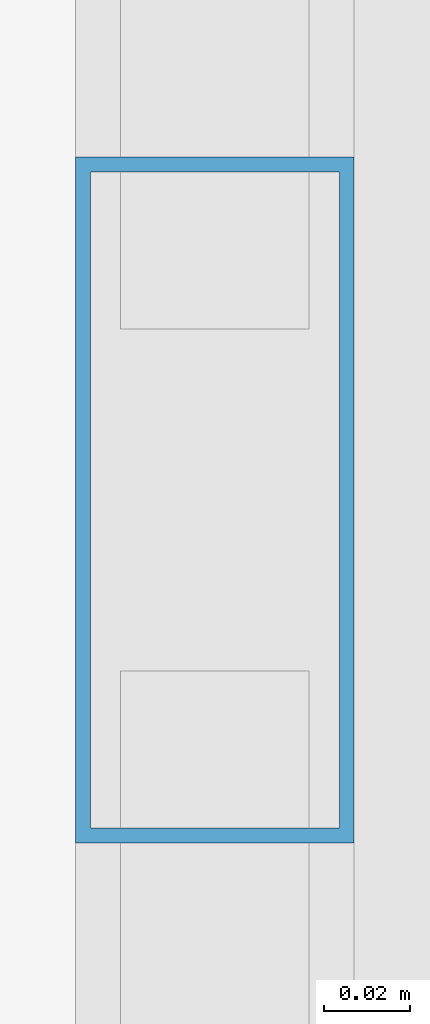
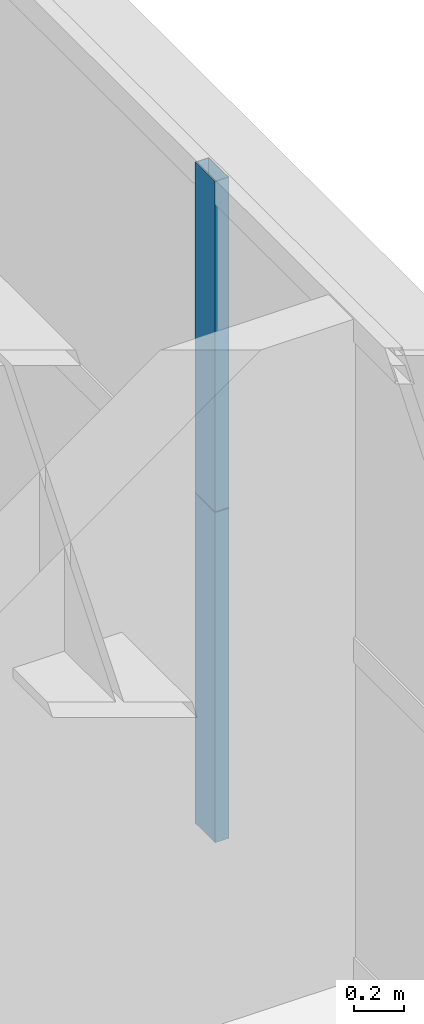
# One storey, part 22 of 39: 2 members, 1 element without a shape of its own.
"""IFC4 building model written with IfcOpenShell, lengths in metres."""

import ifcopenshell
import ifcopenshell.guid

model = None  # the IFC model being written
_history = None  # IfcOwnerHistory: only IFC2X3 demands one
_inside = {}  # id of a spatial element -> (the spatial element, [elements in it])
_under = {}  # id of a project, library or spatial element -> (it, [spatial elements below it])
_declared = {}  # id of a project -> (the project, [libraries it declares])
_typed = {}  # id of a type object -> (the type object, [elements of that type])
_made_of = {}  # id of a material, layer set ... -> (it, [elements and type objects made of it])


def new_model(schema):
    """Start an empty IFC model of exactly this schema.

    Asked for "IFC4X3", IfcOpenShell would pick the latest addendum, in which some entities
    have other attributes; the version numbers below select the first issue.
    IFC2X3 requires an IfcOwnerHistory on every rooted entity: one is made here for all.
    """
    global model, _history
    if schema == "IFC4X3":
        model = ifcopenshell.file(schema_version=(4, 3, 0, 0))
    else:
        model = ifcopenshell.file(schema=schema)
    _inside.clear()
    _under.clear()
    _declared.clear()
    _typed.clear()
    _made_of.clear()
    _history = None
    if model.schema == "IFC2X3":
        org = make("IfcOrganization", Name="unknown")
        user = make(
            "IfcPersonAndOrganization",
            ThePerson=make("IfcPerson", FamilyName="unknown"),
            TheOrganization=org,
        )
        app = make(
            "IfcApplication",
            ApplicationDeveloper=org,
            Version="unknown",
            ApplicationFullName="unknown",
            ApplicationIdentifier="unknown",
        )
        _history = make(
            "IfcOwnerHistory",
            OwningUser=user,
            OwningApplication=app,
            ChangeAction="ADDED",
            CreationDate=0,
        )
    return model


def make(cls, **values):
    """One entity of the class cls with the attributes given. An attribute that is None is left unset."""
    return model.create_entity(
        cls, **{name: value for name, value in values.items() if value is not None}
    )


def rooted(cls, **values):
    """An entity with a GlobalId (a new one), such as an element, a storey or a relation."""
    return make(cls, GlobalId=ifcopenshell.guid.new(), OwnerHistory=_history, **values)


def si_unit(unit_type, name, prefix=None):
    """IfcSIUnit, for example si_unit("LENGTHUNIT", "METRE", prefix="MILLI")."""
    return make("IfcSIUnit", UnitType=unit_type, Prefix=prefix, Name=name)


def assignment(units):
    """IfcUnitAssignment: the units of a project."""
    return None if units is None else make("IfcUnitAssignment", Units=units)


def point(xyz):
    """IfcCartesianPoint."""
    return None if xyz is None else make("IfcCartesianPoint", Coordinates=xyz)


def direction(xyz):
    """IfcDirection."""
    return None if xyz is None else make("IfcDirection", DirectionRatios=xyz)


def frame(location, z_axis=None, x_axis=None):
    """IfcAxis2Placement3D, a coordinate frame: its origin and axes. An axis left out is left unset."""
    return make(
        "IfcAxis2Placement3D",
        Location=point(location),
        Axis=direction(z_axis),
        RefDirection=direction(x_axis),
    )


def frame_2d(location, x_axis=None):
    """IfcAxis2Placement2D, a coordinate frame in the plane: its origin and x axis."""
    return make(
        "IfcAxis2Placement2D", Location=point(location), RefDirection=direction(x_axis)
    )


def origin():
    """The frame at (0, 0, 0) with its axes left unset."""
    return frame((0.0, 0.0, 0.0))


def origin_2d():
    """The frame at (0, 0) in the plane with its x axis left unset."""
    return frame_2d((0.0, 0.0))


def place(relative_to, where):
    """IfcLocalPlacement: puts the frame where relative to a parent placement (None: the world)."""
    return make(
        "IfcLocalPlacement", PlacementRelTo=relative_to, RelativePlacement=where
    )


def context(
    kind, dimensions, precision=None, world=None, true_north=None, identifier=None
):
    """IfcGeometricRepresentationContext, for example the 3D "Model" context."""
    return make(
        "IfcGeometricRepresentationContext",
        ContextIdentifier=identifier,
        ContextType=kind,
        CoordinateSpaceDimension=dimensions,
        Precision=precision,
        WorldCoordinateSystem=world,
        TrueNorth=true_north,
    )


def subcontext(parent, identifier, kind, view, scale=None):
    """IfcGeometricRepresentationSubContext, for example "Body" below "Model"."""
    return make(
        "IfcGeometricRepresentationSubContext",
        ContextIdentifier=identifier,
        ContextType=kind,
        ParentContext=parent,
        TargetScale=scale,
        TargetView=view,
    )


def project(units=None, contexts=None):
    """IfcProject with its units and contexts."""
    return rooted(
        "IfcProject",
        Name="project",
        RepresentationContexts=contexts,
        UnitsInContext=assignment(units),
    )


def spatial(cls, under=None, at=None, **own):
    """A site, building, storey or space (cls), placed at a placement, below another one or the project."""
    s = rooted(cls, ObjectPlacement=at, **own)
    if under is not None:
        _under.setdefault(under.id(), (under, []))[1].append(s)
    return s


def profile(cls, at=None, kind="AREA", **sizes):
    """A parametric profile (cls). Its sizes go by their IFC names, for example OverallWidth=200.0."""
    return make(cls, ProfileType=kind, Position=at, **sizes)


def hollow_rectangle(**sizes):
    """IfcRectangleHollowProfileDef."""
    return profile("IfcRectangleHollowProfileDef", **sizes)


def extrude(swept, where, along, depth):
    """IfcExtrudedAreaSolid: the profile swept, set in the frame where, extruded along a direction by depth."""
    return make(
        "IfcExtrudedAreaSolid",
        SweptArea=swept,
        Position=where,
        ExtrudedDirection=direction(along),
        Depth=depth,
    )


def shape(context_of_items, identifier, shape_type, items):
    """IfcShapeRepresentation: the items that make up one representation, for example the "Body"."""
    return make(
        "IfcShapeRepresentation",
        ContextOfItems=context_of_items,
        RepresentationIdentifier=identifier,
        RepresentationType=shape_type,
        Items=items,
    )


def source(mapping_origin, context_of_items, identifier, shape_type, items):
    """IfcRepresentationMap: a shape defined once, which mapped items show again and again."""
    return make(
        "IfcRepresentationMap",
        MappingOrigin=mapping_origin,
        MappedRepresentation=shape(context_of_items, identifier, shape_type, items),
    )


def transform(
    local_origin,
    x_axis=None,
    y_axis=None,
    z_axis=None,
    scale=None,
    scale2=None,
    scale3=None,
    uniform=True,
):
    """IfcCartesianTransformationOperator3D, or its non-uniform kind. x_axis, y_axis, z_axis: its Axis1, 2, 3."""
    if uniform:
        return make(
            "IfcCartesianTransformationOperator3D",
            Axis1=direction(x_axis),
            Axis2=direction(y_axis),
            LocalOrigin=point(local_origin),
            Scale=scale,
            Axis3=direction(z_axis),
        )
    return make(
        "IfcCartesianTransformationOperator3DnonUniform",
        Axis1=direction(x_axis),
        Axis2=direction(y_axis),
        LocalOrigin=point(local_origin),
        Scale=scale,
        Axis3=direction(z_axis),
        Scale2=scale2,
        Scale3=scale3,
    )


def mapped(mapping_source, mapping_target):
    """IfcMappedItem: shows the shape of a source again, moved by a transform."""
    return make(
        "IfcMappedItem", MappingSource=mapping_source, MappingTarget=mapping_target
    )


def material(Name=None, Category=None):
    """IfcMaterial."""
    return make("IfcMaterial", Name=Name, Category=Category)


def layer(
    of_material, thickness, ventilated=None, Name=None, Category=None, Priority=None
):
    """IfcMaterialLayer: one layer of a wall or slab, of a material (None: an air gap)."""
    return make(
        "IfcMaterialLayer",
        Material=of_material,
        LayerThickness=thickness,
        IsVentilated=ventilated,
        Name=Name,
        Category=Category,
        Priority=Priority,
    )


def layer_set(layers, Name=None):
    """IfcMaterialLayerSet."""
    return make("IfcMaterialLayerSet", MaterialLayers=layers, LayerSetName=Name)


def material_profile(
    of_material, cross_section, Name=None, Category=None, Priority=None
):
    """IfcMaterialProfile: a cross section and its material."""
    return make(
        "IfcMaterialProfile",
        Name=Name,
        Material=of_material,
        Profile=cross_section,
        Priority=Priority,
        Category=Category,
    )


def profile_set(profiles, Name=None, composite=None):
    """IfcMaterialProfileSet."""
    return make(
        "IfcMaterialProfileSet",
        Name=Name,
        MaterialProfiles=profiles,
        CompositeProfile=composite,
    )


def made_of(thing, what):
    """Note that an element or type object is made of a material, layer set ...; save() writes the relation."""
    if what is not None:
        _made_of.setdefault(what.id(), (what, []))[1].append(thing)
    return thing


def type_object(cls, material=None, **own):
    """A type object (cls), such as IfcWallType, which elements share."""
    return made_of(rooted(cls, **own), material)


def element(
    cls,
    number,
    at=None,
    inside=None,
    cuts=None,
    type_object=None,
    material=None,
    context=None,
    identifier="Body",
    shape_type=None,
    held_by="IfcProductDefinitionShape",
    body=None,
    shapes=None,
    **own,
):
    """One element of the class cls, such as IfcWall. Its Tag is "e" and its number.

    at: its placement. inside: the storey or other place that contains it. cuts: it is an
    opening in that element (IfcRelVoidsElement). A single representation is given by context,
    identifier, shape_type and body (its items); several are given by shapes. held_by: the class
    of the entity that holds the representations. save() writes the other relations.
    """
    e = rooted(cls, Tag="e%d" % number, ObjectPlacement=at, **own)
    if body is not None:
        shapes = [shape(context, identifier, shape_type, body)]
    if shapes is not None:
        e.Representation = make(held_by, Representations=shapes)
    if inside is not None:
        _inside.setdefault(inside.id(), (inside, []))[1].append(e)
    if cuts is not None:
        rooted(
            "IfcRelVoidsElement", RelatingBuildingElement=cuts, RelatedOpeningElement=e
        )
    if type_object is not None:
        _typed.setdefault(type_object.id(), (type_object, []))[1].append(e)
    return made_of(e, material)


def aggregate(whole, parts):
    """IfcRelAggregates: a whole, such as a stair, and the parts it consists of."""
    return rooted("IfcRelAggregates", RelatingObject=whole, RelatedObjects=parts)


def save(model, path):
    """Write the relations noted so far, then the file.

    IfcRelAggregates (storeys below a building ...), IfcRelContainedInSpatialStructure (elements
    in a storey), IfcRelDefinesByType, IfcRelAssociatesMaterial and IfcRelDeclares: one each for
    every whole, place, type object, material and project.
    """
    for whole, parts in _under.values():
        aggregate(whole, parts)
    for where, things in _inside.values():
        rooted(
            "IfcRelContainedInSpatialStructure",
            RelatedElements=things,
            RelatingStructure=where,
        )
    for kind, things in _typed.values():
        rooted("IfcRelDefinesByType", RelatedObjects=things, RelatingType=kind)
    for what, things in _made_of.values():
        rooted("IfcRelAssociatesMaterial", RelatedObjects=things, RelatingMaterial=what)
    for by, libraries in _declared.values():
        rooted("IfcRelDeclares", RelatingContext=by, RelatedDefinitions=libraries)
    model.write(path)


model = new_model("IFC4")

# Units and contexts
model_context = context("Model", 3, precision=1e-05, world=origin(), true_north=direction((0.0, 1.0)))
body_context = subcontext(model_context, "Body", "Model", "MODEL_VIEW")
ifc_project = project(units=[si_unit("LENGTHUNIT", "METRE"), si_unit("AREAUNIT", "SQUARE_METRE"), si_unit("VOLUMEUNIT", "CUBIC_METRE"), si_unit("PLANEANGLEUNIT", "RADIAN"), si_unit("MASSUNIT", "GRAM", prefix="KILO"), si_unit("THERMODYNAMICTEMPERATUREUNIT", "KELVIN"), si_unit("POWERUNIT", "WATT")], contexts=[model_context])

# Site, building, storey
site_placement = place(None, origin())
site = spatial("IfcSite", under=ifc_project, at=site_placement, CompositionType="ELEMENT")
building_placement = place(site_placement, origin())
building = spatial("IfcBuilding", under=site, at=building_placement, Name="Yuzanri Waterfront Tower", CompositionType="ELEMENT")
storey_placement = place(building_placement, frame((0.0, 0.0, 216.0)))
storey = spatial("IfcBuildingStorey", under=building, at=storey_placement, Name="L57", CompositionType="ELEMENT", Elevation=216.0)

# Curtain wall, members
ifc_material_1 = material(Name="Anodized Architectural Bronze", Category="metal")
ifc_layer = layer(ifc_material_1, 0.159912109375)
ifc_layer_set = layer_set([ifc_layer], Name="Anodized Architectural Bronze")
curtain_wall_type = type_object("IfcCurtainWallType", Name="Anodized Bronze Mid-Rise Residential Acoustic Unitized Curtain Wall 7200", PredefinedType="NOTDEFINED", material=ifc_layer_set)
curtain_wall_placement = place(storey_placement, origin())
curtain_wall = element("IfcCurtainWall", 1, at=curtain_wall_placement, inside=storey, type_object=curtain_wall_type, Name="L57 Curtain Wall CW-L57-ER", PredefinedType="NOTDEFINED")
ifc_material_2 = material(Name="Anodized Architectural Bronze", Category="metal")
ifc_material_profile = material_profile(ifc_material_2, hollow_rectangle(XDim=0.06494140625, YDim=0.159912109375, WallThickness=0.00341796875, at=origin_2d()), Name="CWM 65x160")
ifc_profile_set = profile_set([ifc_material_profile], Name="Anodized Architectural Bronze")
member_type = type_object("IfcMemberType", Name="Anodized Bronze Upper-Zone Curtain-Wall Mullion 65x160", PredefinedType="MULLION", material=ifc_profile_set)
shared_shape = source(origin(), body_context, "Body", "SweptSolid", [
    extrude(hollow_rectangle(XDim=0.06494140625, YDim=0.159912109375, WallThickness=0.00341796875, at=origin_2d()), origin(), (0.0, 0.0, 1.0), 1.60791015625),
])
member_1_placement = place(storey_placement, frame((58.949951171875, 33.375, 0.0), z_axis=(0.0, 0.0, 1.0), x_axis=(1.0, 0.0, 0.0)))
member_1 = element("IfcMember", 2, at=member_1_placement, type_object=member_type, Name="CW-L57-ER Lower Mullion 01", PredefinedType="MULLION", context=body_context, shape_type="MappedRepresentation", body=[
    mapped(shared_shape, transform((0.0, 0.0, 0.0), scale=1.0)),
])
member_2_placement = place(storey_placement, frame((58.949951171875, 33.375, 1.612060546875), z_axis=(0.0, 0.0, 1.0), x_axis=(1.0, 0.0, 0.0)))
member_2 = element("IfcMember", 3, at=member_2_placement, type_object=member_type, Name="CW-L57-ER Upper Mullion 01", PredefinedType="MULLION", context=body_context, shape_type="MappedRepresentation", body=[
    mapped(shared_shape, transform((0.0, 0.0, 0.0), scale=1.0)),
])
aggregate(curtain_wall, [member_1, member_2])

save(model, "model.ifc")
